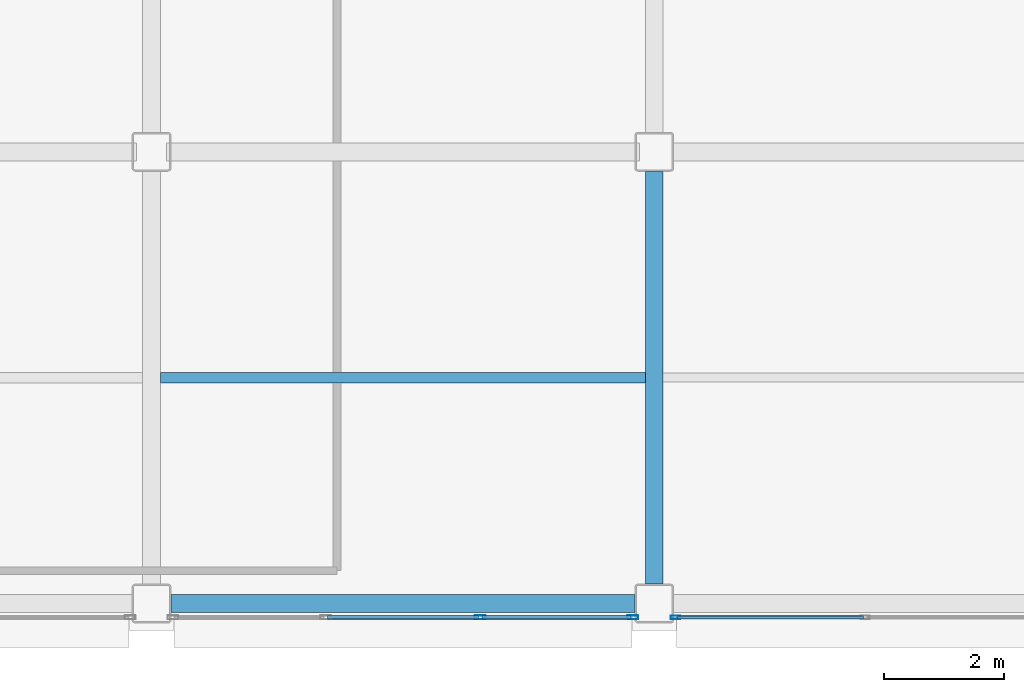
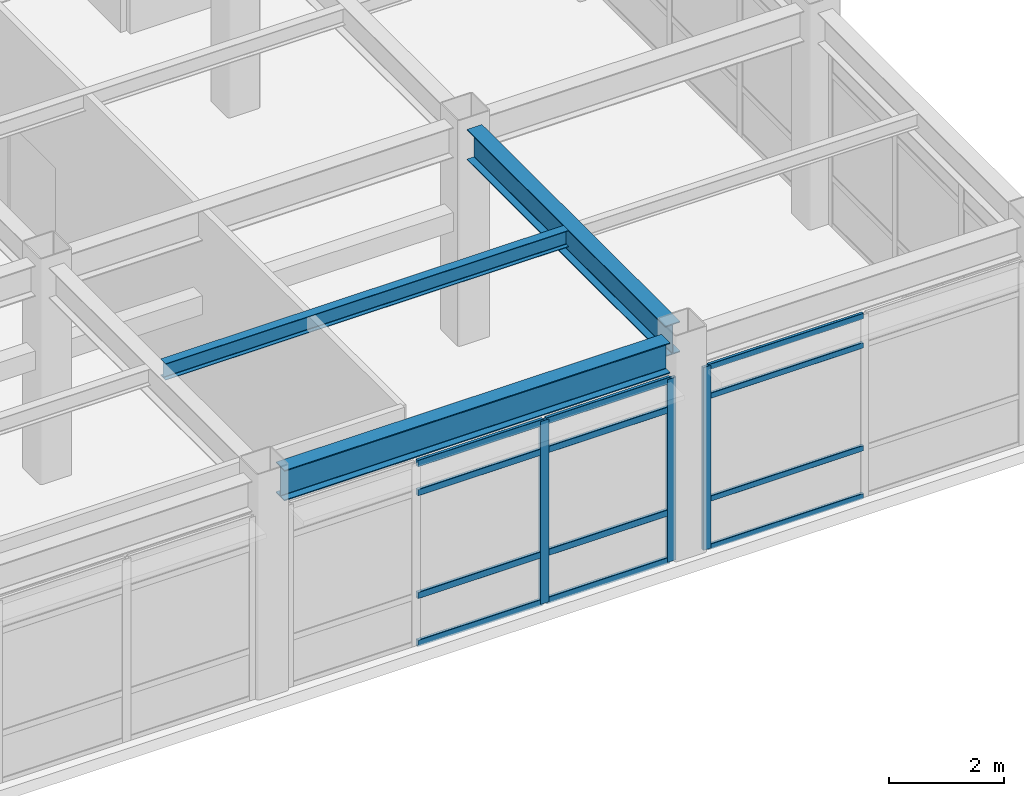
# One storey, part 48 of 93: 15 members, 3 beams, 2 elements without a shape of their own.
"""IFC4 building model written with IfcOpenShell, lengths in metres."""

from ifc_helpers import new_model, si_unit, direction, frame, origin, origin_2d, place, context, subcontext, project, spatial, hollow_rectangle, i_section, extrude, material, layer, layer_set, material_profile, profile_set, type_object, element, aggregate, save


model = new_model("IFC4")

# Units and contexts
model_context = context("Model", 3, precision=1e-05, world=origin(), true_north=direction((0.0, 1.0)))
body_context = subcontext(model_context, "Body", "Model", "MODEL_VIEW")
ifc_project = project(units=[si_unit("LENGTHUNIT", "METRE"), si_unit("AREAUNIT", "SQUARE_METRE"), si_unit("VOLUMEUNIT", "CUBIC_METRE"), si_unit("PLANEANGLEUNIT", "RADIAN"), si_unit("MASSUNIT", "GRAM", prefix="KILO")], contexts=[model_context])

# Site, building, storey
site_placement = place(None, origin())
site = spatial("IfcSite", under=ifc_project, at=site_placement, CompositionType="ELEMENT")
building_placement = place(site_placement, origin())
building = spatial("IfcBuilding", under=site, at=building_placement, Name="Kazehara Bluff Congress Hotel", CompositionType="ELEMENT")
storey_placement = place(building_placement, frame((0.0, 0.0, 15.0)))
storey = spatial("IfcBuildingStorey", under=building, at=storey_placement, Name="L03", CompositionType="ELEMENT", Elevation=15.0)

# Curtain wall, member
ifc_material_1 = material(Name="Anodised aluminium", Category="aluminium")
ifc_layer_1 = layer(ifc_material_1, 0.159912109375)
ifc_layer_set_1 = layer_set([ifc_layer_1], Name="Anodised aluminium")
curtain_wall_type_1 = type_object("IfcCurtainWallType", Name="TP-CW-145", PredefinedType="NOTDEFINED", material=ifc_layer_set_1)
curtain_wall_1_placement = place(storey_placement, origin())
curtain_wall_1 = element("IfcCurtainWall", 1, at=curtain_wall_1_placement, inside=storey, type_object=curtain_wall_type_1, Name="L03 curtain wall CW-145 CW-ENC-V5-L03-16402-22", PredefinedType="NOTDEFINED")
ifc_material_2 = material(Name="Anodised aluminium", Category="aluminium")
ifc_material_profile_1 = material_profile(ifc_material_2, hollow_rectangle(XDim=0.06005859375, YDim=0.159912109375, WallThickness=0.00390625, InnerFilletRadius=0.00390625, OuterFilletRadius=0.008056640625, at=origin_2d()))
ifc_profile_set_1 = profile_set([ifc_material_profile_1], Name="Anodised aluminium")
member_type_1 = type_object("IfcMemberType", Name="TP-CWM-01", PredefinedType="MULLION", material=ifc_profile_set_1)
member_1_placement = place(storey_placement, frame((160.85498046875, 0.219970703125, 0.0), z_axis=(0.0, 0.0, 1.0), x_axis=(0.0, -1.0, 0.0)))
member_1 = element("IfcMember", 2, at=member_1_placement, type_object=member_type_1, Name="CW-145 mullion 3", PredefinedType="MULLION", context=body_context, shape_type="SweptSolid", body=[
    extrude(hollow_rectangle(XDim=0.06005859375, YDim=0.159912109375, WallThickness=0.00390625, InnerFilletRadius=0.00390625, OuterFilletRadius=0.008056640625, at=origin_2d()), origin(), (0.0, 0.0, 1.0), 3.885009765625),
])

# Curtain wall, members
ifc_material_3 = material(Name="Anodised aluminium", Category="aluminium")
ifc_layer_2 = layer(ifc_material_3, 0.159912109375)
ifc_layer_set_2 = layer_set([ifc_layer_2], Name="Anodised aluminium")
curtain_wall_type_2 = type_object("IfcCurtainWallType", Name="TP-CW-24", PredefinedType="NOTDEFINED", material=ifc_layer_set_2)
curtain_wall_2_placement = place(storey_placement, origin())
curtain_wall_2 = element("IfcCurtainWall", 3, at=curtain_wall_2_placement, inside=storey, type_object=curtain_wall_type_2, Name="L03 curtain wall CW-24 CW-ENC-V5-L03-15630-22", PredefinedType="NOTDEFINED")
ifc_material_4 = material(Name="Anodised aluminium", Category="aluminium")
ifc_material_profile_2 = material_profile(ifc_material_4, hollow_rectangle(XDim=0.06494140625, YDim=0.179931640625, WallThickness=0.00390625, InnerFilletRadius=0.00390625, OuterFilletRadius=0.008056640625, at=origin_2d()))
ifc_profile_set_2 = profile_set([ifc_material_profile_2], Name="Anodised aluminium")
member_type_2 = type_object("IfcMemberType", Name="TP-CWM-02", PredefinedType="MULLION", material=ifc_profile_set_2)
member_2_placement = place(storey_placement, frame((160.142578125, 0.219970703125, 0.0), z_axis=(0.0, 0.0, 1.0), x_axis=(0.0, -1.0, 0.0)))
member_2 = element("IfcMember", 4, at=member_2_placement, type_object=member_type_2, Name="CW-24 mullion 1", PredefinedType="MULLION", context=body_context, shape_type="SweptSolid", body=[
    extrude(hollow_rectangle(XDim=0.06494140625, YDim=0.179931640625, WallThickness=0.00390625, InnerFilletRadius=0.00390625, OuterFilletRadius=0.008056640625, at=origin_2d()), origin(), (0.0, 0.0, 1.0), 3.885009765625),
])
member_3_placement = place(storey_placement, frame((157.591552734375, 0.219970703125, 0.0), z_axis=(0.0, 0.0, 1.0), x_axis=(0.0, -1.0, 0.0)))
member_3 = element("IfcMember", 5, at=member_3_placement, type_object=member_type_2, Name="CW-24 mullion 2", PredefinedType="MULLION", context=body_context, shape_type="SweptSolid", body=[
    extrude(hollow_rectangle(XDim=0.06494140625, YDim=0.179931640625, WallThickness=0.00390625, InnerFilletRadius=0.00390625, OuterFilletRadius=0.008056640625, at=origin_2d()), origin(), (0.0, 0.0, 1.0), 3.885009765625),
])

# Member
ifc_material_5 = material(Name="Anodised aluminium", Category="aluminium")
ifc_material_profile_3 = material_profile(ifc_material_5, hollow_rectangle(XDim=0.06005859375, YDim=0.1201171875, WallThickness=0.00390625, InnerFilletRadius=0.00390625, OuterFilletRadius=0.008056640625, at=origin_2d()))
ifc_profile_set_3 = profile_set([ifc_material_profile_3], Name="Anodised aluminium")
member_type_3 = type_object("IfcMemberType", Name="TP-CWT-01", PredefinedType="USERDEFINED", material=ifc_profile_set_3)
member_4_placement = place(storey_placement, frame((163.9951171875, 0.219970703125, 0.030029296875), z_axis=(-1.0, 0.0, 0.0), x_axis=(0.0, -1.0, 0.0)))
member_4 = element("IfcMember", 6, at=member_4_placement, type_object=member_type_3, Name="CW-145 transom 2.1", ObjectType="TRANSOM", PredefinedType="USERDEFINED", context=body_context, shape_type="SweptSolid", body=[
    extrude(hollow_rectangle(XDim=0.06005859375, YDim=0.1201171875, WallThickness=0.00390625, InnerFilletRadius=0.00390625, OuterFilletRadius=0.008056640625, at=origin_2d()), origin(), (0.0, 0.0, 1.0), 3.110107421875),
])

member_5_placement = place(storey_placement, frame((163.9951171875, 0.219970703125, 1.050048828125), z_axis=(-1.0, 0.0, 0.0), x_axis=(0.0, -1.0, 0.0)))
member_5 = element("IfcMember", 7, at=member_5_placement, type_object=member_type_3, Name="CW-145 transom 2.2", ObjectType="TRANSOM", PredefinedType="USERDEFINED", context=body_context, shape_type="SweptSolid", body=[
    extrude(hollow_rectangle(XDim=0.06005859375, YDim=0.1201171875, WallThickness=0.00390625, InnerFilletRadius=0.00390625, OuterFilletRadius=0.008056640625, at=origin_2d()), origin(), (0.0, 0.0, 1.0), 3.110107421875),
])

member_6_placement = place(storey_placement, frame((163.9951171875, 0.219970703125, 3.235107421875), z_axis=(-1.0, 0.0, 0.0), x_axis=(0.0, -1.0, 0.0)))
member_6 = element("IfcMember", 8, at=member_6_placement, type_object=member_type_3, Name="CW-145 transom 2.3", ObjectType="TRANSOM", PredefinedType="USERDEFINED", context=body_context, shape_type="SweptSolid", body=[
    extrude(hollow_rectangle(XDim=0.06005859375, YDim=0.1201171875, WallThickness=0.00390625, InnerFilletRadius=0.00390625, OuterFilletRadius=0.008056640625, at=origin_2d()), origin(), (0.0, 0.0, 1.0), 3.110107421875),
])

member_7_placement = place(storey_placement, frame((163.9951171875, 0.219970703125, 3.85498046875), z_axis=(-1.0, 0.0, 0.0), x_axis=(0.0, -1.0, 0.0)))
member_7 = element("IfcMember", 9, at=member_7_placement, type_object=member_type_3, Name="CW-145 transom 2.4", ObjectType="TRANSOM", PredefinedType="USERDEFINED", context=body_context, shape_type="SweptSolid", body=[
    extrude(hollow_rectangle(XDim=0.06005859375, YDim=0.1201171875, WallThickness=0.00390625, InnerFilletRadius=0.00390625, OuterFilletRadius=0.008056640625, at=origin_2d()), origin(), (0.0, 0.0, 1.0), 3.110107421875),
])

aggregate(curtain_wall_1, [member_1, member_4, member_5, member_6, member_7])

ifc_material_6 = material(Name="Anodised aluminium", Category="aluminium")
ifc_material_profile_4 = material_profile(ifc_material_6, hollow_rectangle(XDim=0.06494140625, YDim=0.139892578125, WallThickness=0.00390625, InnerFilletRadius=0.00390625, OuterFilletRadius=0.008056640625, at=origin_2d()))
ifc_profile_set_4 = profile_set([ifc_material_profile_4], Name="Anodised aluminium")
member_type_4 = type_object("IfcMemberType", Name="TP-CWT-02", PredefinedType="USERDEFINED", material=ifc_profile_set_4)
member_8_placement = place(storey_placement, frame((160.110107421875, 0.219970703125, 0.032470703125), z_axis=(-1.0, 0.0, 0.0), x_axis=(0.0, -1.0, 0.0)))
member_8 = element("IfcMember", 10, at=member_8_placement, type_object=member_type_4, Name="CW-24 transom 1.1", ObjectType="TRANSOM", PredefinedType="USERDEFINED", context=body_context, shape_type="SweptSolid", body=[
    extrude(hollow_rectangle(XDim=0.06494140625, YDim=0.139892578125, WallThickness=0.00390625, InnerFilletRadius=0.00390625, OuterFilletRadius=0.008056640625, at=origin_2d()), origin(), (0.0, 0.0, 1.0), 2.48583984375),
])

member_9_placement = place(storey_placement, frame((160.110107421875, 0.219970703125, 1.050048828125), z_axis=(-1.0, 0.0, 0.0), x_axis=(0.0, -1.0, 0.0)))
member_9 = element("IfcMember", 11, at=member_9_placement, type_object=member_type_4, Name="CW-24 transom 1.2", ObjectType="TRANSOM", PredefinedType="USERDEFINED", context=body_context, shape_type="SweptSolid", body=[
    extrude(hollow_rectangle(XDim=0.06494140625, YDim=0.139892578125, WallThickness=0.00390625, InnerFilletRadius=0.00390625, OuterFilletRadius=0.008056640625, at=origin_2d()), origin(), (0.0, 0.0, 1.0), 2.48583984375),
])

member_10_placement = place(storey_placement, frame((160.110107421875, 0.219970703125, 3.235107421875), z_axis=(-1.0, 0.0, 0.0), x_axis=(0.0, -1.0, 0.0)))
member_10 = element("IfcMember", 12, at=member_10_placement, type_object=member_type_4, Name="CW-24 transom 1.3", ObjectType="TRANSOM", PredefinedType="USERDEFINED", context=body_context, shape_type="SweptSolid", body=[
    extrude(hollow_rectangle(XDim=0.06494140625, YDim=0.139892578125, WallThickness=0.00390625, InnerFilletRadius=0.00390625, OuterFilletRadius=0.008056640625, at=origin_2d()), origin(), (0.0, 0.0, 1.0), 2.48583984375),
])

member_11_placement = place(storey_placement, frame((160.110107421875, 0.219970703125, 3.8525390625), z_axis=(-1.0, 0.0, 0.0), x_axis=(0.0, -1.0, 0.0)))
member_11 = element("IfcMember", 13, at=member_11_placement, type_object=member_type_4, Name="CW-24 transom 1.4", ObjectType="TRANSOM", PredefinedType="USERDEFINED", context=body_context, shape_type="SweptSolid", body=[
    extrude(hollow_rectangle(XDim=0.06494140625, YDim=0.139892578125, WallThickness=0.00390625, InnerFilletRadius=0.00390625, OuterFilletRadius=0.008056640625, at=origin_2d()), origin(), (0.0, 0.0, 1.0), 2.48583984375),
])

member_12_placement = place(storey_placement, frame((157.55908203125, 0.219970703125, 0.032470703125), z_axis=(-1.0, 0.0, 0.0), x_axis=(0.0, -1.0, 0.0)))
member_12 = element("IfcMember", 14, at=member_12_placement, type_object=member_type_4, Name="CW-24 transom 2.1", ObjectType="TRANSOM", PredefinedType="USERDEFINED", context=body_context, shape_type="SweptSolid", body=[
    extrude(hollow_rectangle(XDim=0.06494140625, YDim=0.139892578125, WallThickness=0.00390625, InnerFilletRadius=0.00390625, OuterFilletRadius=0.008056640625, at=origin_2d()), origin(), (0.0, 0.0, 1.0), 2.518310546875),
])

member_13_placement = place(storey_placement, frame((157.55908203125, 0.219970703125, 1.050048828125), z_axis=(-1.0, 0.0, 0.0), x_axis=(0.0, -1.0, 0.0)))
member_13 = element("IfcMember", 15, at=member_13_placement, type_object=member_type_4, Name="CW-24 transom 2.2", ObjectType="TRANSOM", PredefinedType="USERDEFINED", context=body_context, shape_type="SweptSolid", body=[
    extrude(hollow_rectangle(XDim=0.06494140625, YDim=0.139892578125, WallThickness=0.00390625, InnerFilletRadius=0.00390625, OuterFilletRadius=0.008056640625, at=origin_2d()), origin(), (0.0, 0.0, 1.0), 2.518310546875),
])

member_14_placement = place(storey_placement, frame((157.55908203125, 0.219970703125, 3.235107421875), z_axis=(-1.0, 0.0, 0.0), x_axis=(0.0, -1.0, 0.0)))
member_14 = element("IfcMember", 16, at=member_14_placement, type_object=member_type_4, Name="CW-24 transom 2.3", ObjectType="TRANSOM", PredefinedType="USERDEFINED", context=body_context, shape_type="SweptSolid", body=[
    extrude(hollow_rectangle(XDim=0.06494140625, YDim=0.139892578125, WallThickness=0.00390625, InnerFilletRadius=0.00390625, OuterFilletRadius=0.008056640625, at=origin_2d()), origin(), (0.0, 0.0, 1.0), 2.518310546875),
])

member_15_placement = place(storey_placement, frame((157.55908203125, 0.219970703125, 3.8525390625), z_axis=(-1.0, 0.0, 0.0), x_axis=(0.0, -1.0, 0.0)))
member_15 = element("IfcMember", 17, at=member_15_placement, type_object=member_type_4, Name="CW-24 transom 2.4", ObjectType="TRANSOM", PredefinedType="USERDEFINED", context=body_context, shape_type="SweptSolid", body=[
    extrude(hollow_rectangle(XDim=0.06494140625, YDim=0.139892578125, WallThickness=0.00390625, InnerFilletRadius=0.00390625, OuterFilletRadius=0.008056640625, at=origin_2d()), origin(), (0.0, 0.0, 1.0), 2.518310546875),
])

aggregate(curtain_wall_2, [member_2, member_3, member_8, member_9, member_10, member_11, member_12, member_13, member_14, member_15])

# Beams
ifc_material_7 = material(Name="Steel SN490B", Category="steel")
ifc_material_profile_5 = material_profile(ifc_material_7, i_section(OverallWidth=0.300048828125, OverallDepth=0.64990234375, WebThickness=0.011962890625, FlangeThickness=0.02001953125, FilletRadius=0.012939453125, at=origin_2d()))
ifc_profile_set_5 = profile_set([ifc_material_profile_5], Name="Steel SN490B")
beam_type_1 = type_object("IfcBeamType", Name="TP-G-03", PredefinedType="BEAM", material=ifc_profile_set_5)
beam_1_placement = place(storey_placement, frame((160.5, 0.77490234375, 4.235107421875), z_axis=(0.0, 1.0, 0.0), x_axis=(-1.0, 0.0, 0.0)))
element("IfcBeam", 18, at=beam_1_placement, inside=storey, type_object=beam_type_1, Name="L03 girder G-03 129", PredefinedType="BEAM", context=body_context, shape_type="SweptSolid", body=[
    extrude(i_section(OverallWidth=0.300048828125, OverallDepth=0.64990234375, WebThickness=0.011962890625, FlangeThickness=0.02001953125, FilletRadius=0.012939453125, at=origin_2d()), origin(), (0.0, 0.0, 1.0), 6.900146484375),
])
beam_2_placement = place(storey_placement, frame((152.425048828125, 0.449951171875, 4.235107421875), z_axis=(1.0, 0.0, 0.0), x_axis=(0.0, 1.0, 0.0)))
element("IfcBeam", 19, at=beam_2_placement, inside=storey, type_object=beam_type_1, Name="L03 girder G-03 152", PredefinedType="BEAM", context=body_context, shape_type="SweptSolid", body=[
    extrude(i_section(OverallWidth=0.300048828125, OverallDepth=0.64990234375, WebThickness=0.011962890625, FlangeThickness=0.02001953125, FilletRadius=0.012939453125, at=origin_2d()), origin(), (0.0, 0.0, 1.0), 7.75),
])
ifc_material_8 = material(Name="Steel SN400B", Category="steel")
ifc_material_profile_6 = material_profile(ifc_material_8, i_section(OverallWidth=0.175048828125, OverallDepth=0.35009765625, WebThickness=0.007080078125, FlangeThickness=0.010986328125, FilletRadius=0.012939453125, at=origin_2d()))
ifc_profile_set_6 = profile_set([ifc_material_profile_6], Name="Steel SN400B")
beam_type_2 = type_object("IfcBeamType", Name="TP-J-02", PredefinedType="JOIST", material=ifc_profile_set_6)
beam_3_placement = place(storey_placement, frame((152.25, 4.22509765625, 4.385009765625), z_axis=(1.0, 0.0, 0.0), x_axis=(0.0, 1.0, 0.0)))
element("IfcBeam", 20, at=beam_3_placement, inside=storey, type_object=beam_type_2, Name="L03 secondary joist J-02 34", PredefinedType="JOIST", context=body_context, shape_type="SweptSolid", body=[
    extrude(i_section(OverallWidth=0.175048828125, OverallDepth=0.35009765625, WebThickness=0.007080078125, FlangeThickness=0.010986328125, FilletRadius=0.012939453125, at=origin_2d()), origin(), (0.0, 0.0, 1.0), 8.10009765625),
])

save(model, "model.ifc")
